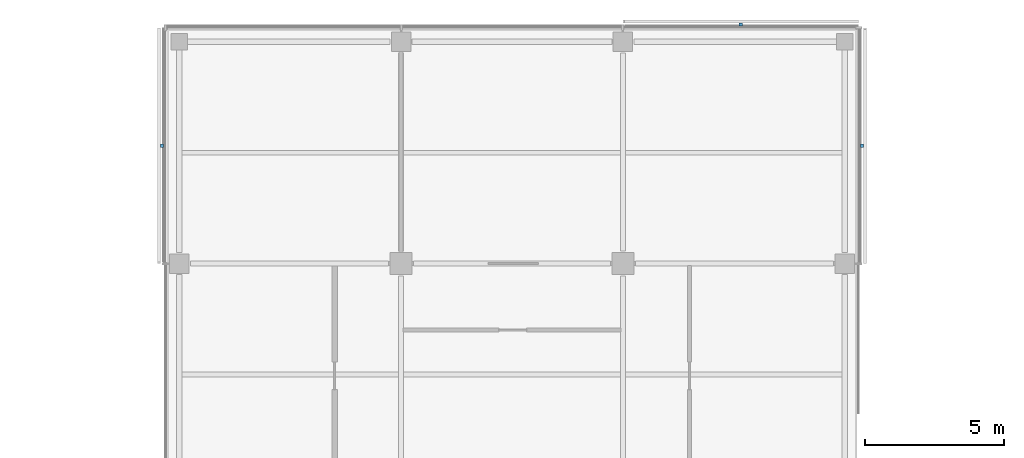
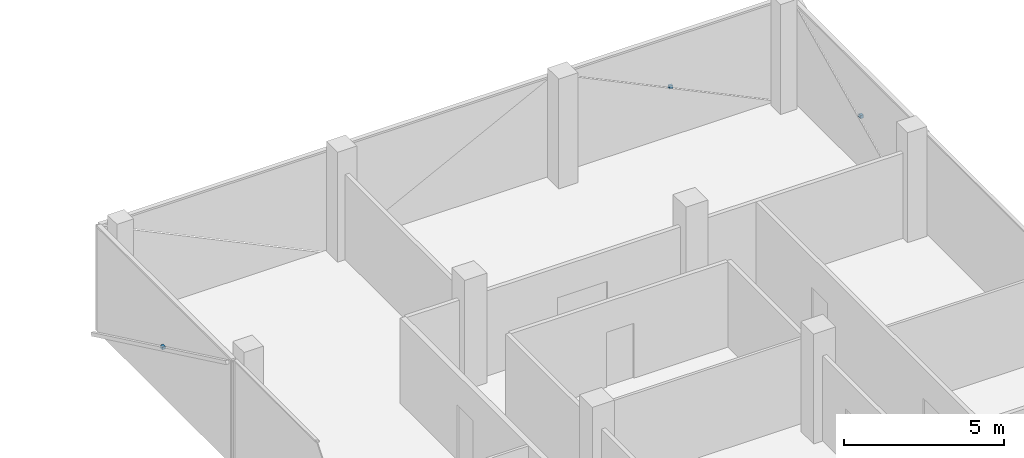
# One storey, part 14 of 15: 3 discrete accessories.
"""IFC4 building model written with IfcOpenShell, lengths in metres."""

from ifc_helpers import new_model, si_unit, direction, frame, origin, origin_2d, place, context, subcontext, project, spatial, rectangle, extrude, material, type_object, element, save


model = new_model("IFC4")

# Units and contexts
model_context = context("Model", 3, precision=1e-05, world=origin(), true_north=direction((0.0, 1.0)))
body_context = subcontext(model_context, "Body", "Model", "MODEL_VIEW")
ifc_project = project(units=[si_unit("LENGTHUNIT", "METRE"), si_unit("AREAUNIT", "SQUARE_METRE"), si_unit("VOLUMEUNIT", "CUBIC_METRE"), si_unit("PLANEANGLEUNIT", "RADIAN"), si_unit("MASSUNIT", "GRAM", prefix="KILO")], contexts=[model_context])

# Site, building, storey
site_placement = place(None, origin())
site = spatial("IfcSite", under=ifc_project, at=site_placement, CompositionType="ELEMENT")
building_placement = place(site_placement, origin())
building = spatial("IfcBuilding", under=site, at=building_placement, Name="Crosswind Convention Tower", CompositionType="ELEMENT")
storey_placement = place(building_placement, frame((0.0, 0.0, 233.5)))
storey = spatial("IfcBuildingStorey", under=building, at=storey_placement, Name="L50", CompositionType="ELEMENT", Elevation=233.5)

# Discrete accessories
ifc_material = material(Name="Stainless steel", Category="steel")
discrete_accessory_type = type_object("IfcDiscreteAccessoryType", Name="BAGUETTE BRACKET BK3", PredefinedType="BRACKET", material=ifc_material)
for number, where, z_axis, x_axis, name in (
    (1, (137.6259765625, 124.2548828125, 1.655029296875), (0.0, 0.0, 1.0), (0.0, 1.0, 0.0), "BK3 baguette bracket"),
    (2, (133.2548828125, 128.6259765625, 1.655029296875), (0.0, 0.0, 1.0), (-1.0, 0.0, 0.0), "BK3 baguette bracket"),
    (3, (112.3740234375, 124.2548828125, 1.655029296875), (0.0, 0.0, 1.0), (0.0, -1.0, 0.0), "BK3 baguette bracket"),
):
    element("IfcDiscreteAccessory", number, at=place(storey_placement, frame(where, z_axis=z_axis, x_axis=x_axis)), inside=storey, type_object=discrete_accessory_type, Name=name, PredefinedType="BRACKET", context=body_context, shape_type="SweptSolid", body=[
        extrude(rectangle(XDim=0.1201171875, YDim=0.10009765625, at=origin_2d()), origin(), (0.0, 0.0, 1.0), 0.1201171875),
    ])

save(model, "model.ifc")
